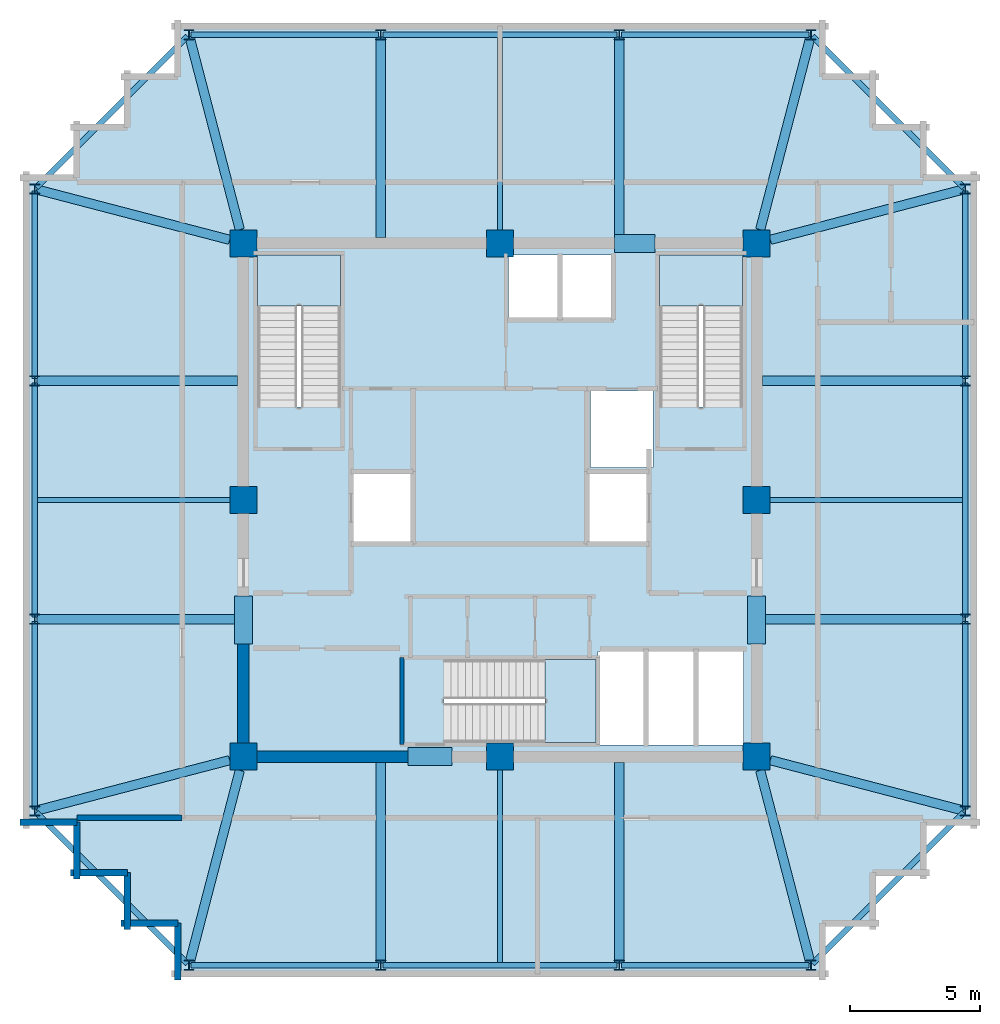
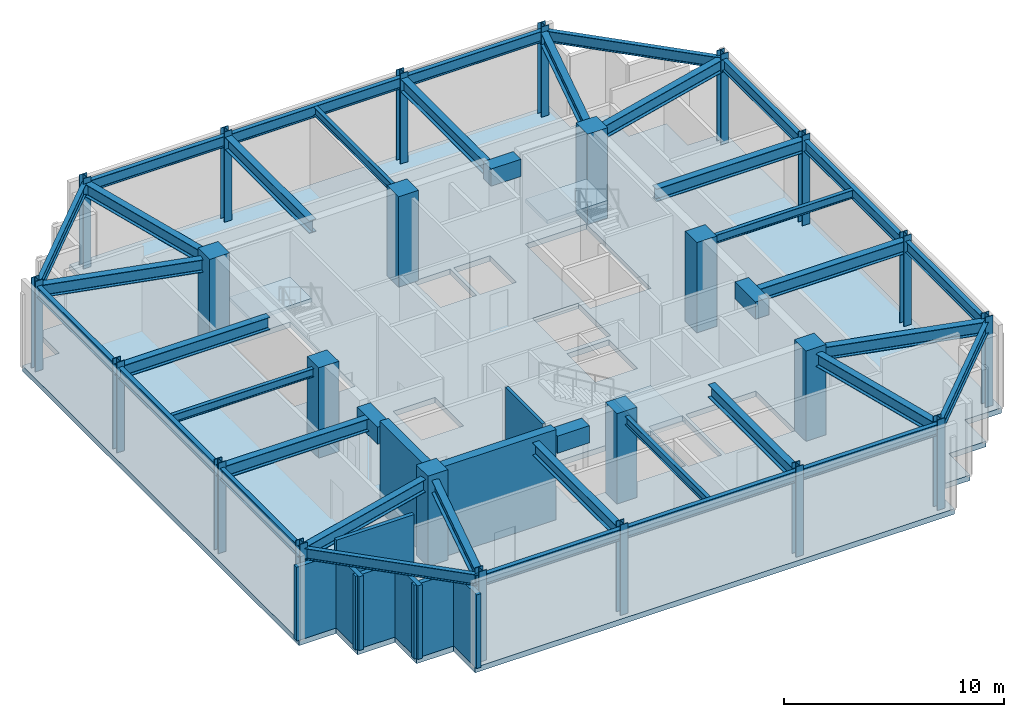
# One storey, part 1 of 5: 40 beams, 24 columns, 10 walls, 4 slabs, 3 elements without a shape of their own.
"""IFC4 building model written with IfcOpenShell, lengths in metres."""

from ifc_helpers import new_model, si_unit, direction, frame, frame_2d, origin, origin_2d, place, context, subcontext, project, spatial, polyline, rectangle, i_section, outline, extrude, material, layer, layer_set, material_profile, profile_set, type_object, element, aggregate, save


model = new_model("IFC4")

# Units and contexts
model_context = context("Model", 3, precision=1e-05, world=origin(), true_north=direction((0.0, 1.0)))
body_context = subcontext(model_context, "Body", "Model", "MODEL_VIEW")
ifc_project = project(units=[si_unit("LENGTHUNIT", "METRE"), si_unit("AREAUNIT", "SQUARE_METRE"), si_unit("VOLUMEUNIT", "CUBIC_METRE"), si_unit("PLANEANGLEUNIT", "RADIAN"), si_unit("MASSUNIT", "GRAM", prefix="KILO")], contexts=[model_context])

# Site, building, storey
site_placement = place(None, origin())
site = spatial("IfcSite", under=ifc_project, at=site_placement, CompositionType="ELEMENT")
building_placement = place(site_placement, origin())
building = spatial("IfcBuilding", under=site, at=building_placement, Name="Kolvaren Belvedere", CompositionType="ELEMENT")
storey_placement = place(building_placement, frame((0.0, 0.0, 272.39990234375)))
storey = spatial("IfcBuildingStorey", under=building, at=storey_placement, Name="L78", CompositionType="ELEMENT", Elevation=272.39990234375)

# Columns
ifc_material_1 = material(Name="Concrete C50/60", Category="concrete")
ifc_material_profile_1 = material_profile(ifc_material_1, rectangle(XDim=1.050048828125, YDim=1.050048828125, at=origin_2d()), Name="RC 1050X1050")
ifc_profile_set_1 = profile_set([ifc_material_profile_1], Name="Concrete C50/60")
column_type_1 = type_object("IfcColumnType", Name="COL-RC-1050", PredefinedType="COLUMN", material=ifc_profile_set_1)
for number, where, z_axis, x_axis, name in (
    (1, (-9.89990234375, -9.89990234375, 0.0), (0.0, 0.0, 1.0), (1.0, 0.0, 0.0), "L78 Core Column CC1"),
    (2, (9.89990234375, -9.89990234375, 0.0), (0.0, 0.0, 1.0), (1.0, 0.0, 0.0), "L78 Core Column CC2"),
    (3, (9.89990234375, 9.89990234375, 0.0), (0.0, 0.0, 1.0), (1.0, 0.0, 0.0), "L78 Core Column CC3"),
    (4, (-9.89990234375, 9.89990234375, 0.0), (0.0, 0.0, 1.0), (1.0, 0.0, 0.0), "L78 Core Column CC4"),
    (5, (0.0, -9.89990234375, 0.0), (0.0, 0.0, 1.0), (1.0, 0.0, 0.0), "L78 Core Column CM1"),
    (6, (9.89990234375, 0.0, 0.0), (0.0, 0.0, 1.0), (1.0, 0.0, 0.0), "L78 Core Column CM2"),
    (7, (0.0, 9.89990234375, 0.0), (0.0, 0.0, 1.0), (1.0, 0.0, 0.0), "L78 Core Column CM3"),
    (8, (-9.89990234375, 0.0, 0.0), (0.0, 0.0, 1.0), (1.0, 0.0, 0.0), "L78 Core Column CM4"),
):
    element("IfcColumn", number, at=place(storey_placement, frame(where, z_axis=z_axis, x_axis=x_axis)), inside=storey, type_object=column_type_1, Name=name, PredefinedType="COLUMN", context=body_context, shape_type="SweptSolid", body=[
        extrude(rectangle(XDim=1.050048828125, YDim=1.050048828125, at=origin_2d()), origin(), (0.0, 0.0, 1.0), 5.0),
    ])
ifc_material_2 = material(Name="Structural steel ASTM A992 Grade 50", Category="steel")
ifc_material_profile_2 = material_profile(ifc_material_2, i_section(OverallWidth=0.39892578125, OverallDepth=0.386962890625, WebThickness=0.02099609375, FlangeThickness=0.033203125, FilletRadius=0.02490234375, at=origin_2d()), Name="W14X176")
ifc_profile_set_2 = profile_set([ifc_material_profile_2], Name="Structural steel ASTM A992 Grade 50")
column_type_2 = type_object("IfcColumnType", Name="COL-ST-W14X176", PredefinedType="COLUMN", material=ifc_profile_set_2)
for number, where, z_axis, x_axis, name in (
    (9, (-12.0, -17.949951171875, 0.0), (0.0, 0.0, 1.0), (1.0, 0.0, 0.0), "L78 Perimeter Column S1"),
    (10, (-4.60009765625, -17.949951171875, 0.0), (0.0, 0.0, 1.0), (1.0, 0.0, 0.0), "L78 Perimeter Column S2"),
    (11, (4.60009765625, -17.949951171875, 0.0), (0.0, 0.0, 1.0), (1.0, 0.0, 0.0), "L78 Perimeter Column S3"),
    (12, (12.0, -17.949951171875, 0.0), (0.0, 0.0, 1.0), (1.0, 0.0, 0.0), "L78 Perimeter Column S4"),
    (13, (-12.0, 17.949951171875, 0.0), (0.0, 0.0, 1.0), (1.0, 0.0, 0.0), "L78 Perimeter Column N1"),
    (14, (-4.60009765625, 17.949951171875, 0.0), (0.0, 0.0, 1.0), (1.0, 0.0, 0.0), "L78 Perimeter Column N2"),
    (15, (4.60009765625, 17.949951171875, 0.0), (0.0, 0.0, 1.0), (1.0, 0.0, 0.0), "L78 Perimeter Column N3"),
    (16, (12.0, 17.949951171875, 0.0), (0.0, 0.0, 1.0), (1.0, 0.0, 0.0), "L78 Perimeter Column N4"),
    (17, (-17.949951171875, -12.0, 0.0), (0.0, 0.0, 1.0), (1.0, 0.0, 0.0), "L78 Perimeter Column W1"),
    (18, (-17.949951171875, -4.60009765625, 0.0), (0.0, 0.0, 1.0), (1.0, 0.0, 0.0), "L78 Perimeter Column W2"),
    (19, (-17.949951171875, 4.60009765625, 0.0), (0.0, 0.0, 1.0), (1.0, 0.0, 0.0), "L78 Perimeter Column W3"),
    (20, (-17.949951171875, 12.0, 0.0), (0.0, 0.0, 1.0), (1.0, 0.0, 0.0), "L78 Perimeter Column W4"),
    (21, (17.949951171875, -12.0, 0.0), (0.0, 0.0, 1.0), (1.0, 0.0, 0.0), "L78 Perimeter Column E1"),
    (22, (17.949951171875, -4.60009765625, 0.0), (0.0, 0.0, 1.0), (1.0, 0.0, 0.0), "L78 Perimeter Column E2"),
    (23, (17.949951171875, 4.60009765625, 0.0), (0.0, 0.0, 1.0), (1.0, 0.0, 0.0), "L78 Perimeter Column E3"),
    (24, (17.949951171875, 12.0, 0.0), (0.0, 0.0, 1.0), (1.0, 0.0, 0.0), "L78 Perimeter Column E4"),
):
    element("IfcColumn", number, at=place(storey_placement, frame(where, z_axis=z_axis, x_axis=x_axis)), inside=storey, type_object=column_type_2, Name=name, PredefinedType="COLUMN", context=body_context, shape_type="SweptSolid", body=[
        extrude(i_section(OverallWidth=0.39892578125, OverallDepth=0.386962890625, WebThickness=0.02099609375, FlangeThickness=0.033203125, FilletRadius=0.02490234375, at=origin_2d()), origin(), (0.0, 0.0, 1.0), 5.0),
    ])

# Beams
ifc_material_3 = material(Name="Structural steel ASTM A992 Grade 50", Category="steel")
ifc_material_profile_3 = material_profile(ifc_material_3, i_section(OverallWidth=0.35498046875, OverallDepth=0.696044921875, WebThickness=0.015380859375, FlangeThickness=0.02490234375, FilletRadius=0.02197265625, at=origin_2d()), Name="W27X146")
ifc_profile_set_3 = profile_set([ifc_material_profile_3], Name="Structural steel ASTM A992 Grade 50")
beam_type_1 = type_object("IfcBeamType", Name="BM-GIRD-W27X146", PredefinedType="BEAM", material=ifc_profile_set_3)
for number, where, z_axis, x_axis, name in (
    (25, (4.60009765625, 10.125, 4.35205078125), (0.0, 1.0, 0.0), (-1.0, 0.0, 0.0), "L78 North Radial Girder P"),
    (26, (4.60009765625, -10.125, 4.35205078125), (0.0, -1.0, 0.0), (1.0, 0.0, 0.0), "L78 South Radial Girder P"),
    (27, (10.125, 4.60009765625, 4.35205078125), (1.0, 0.0, 0.0), (0.0, 1.0, 0.0), "L78 East Radial Girder P"),
    (28, (-10.125, 4.60009765625, 4.35205078125), (-1.0, 0.0, 0.0), (0.0, -1.0, 0.0), "L78 West Radial Girder P"),
    (29, (-4.60009765625, 10.125, 4.35205078125), (0.0, 1.0, 0.0), (-1.0, 0.0, 0.0), "L78 North Radial Girder M"),
    (30, (-4.60009765625, -10.125, 4.35205078125), (0.0, -1.0, 0.0), (1.0, 0.0, 0.0), "L78 South Radial Girder M"),
    (31, (10.125, -4.60009765625, 4.35205078125), (1.0, 0.0, 0.0), (0.0, 1.0, 0.0), "L78 East Radial Girder M"),
    (32, (-10.125, -4.60009765625, 4.35205078125), (-1.0, 0.0, 0.0), (0.0, -1.0, 0.0), "L78 West Radial Girder M"),
):
    element("IfcBeam", number, at=place(storey_placement, frame(where, z_axis=z_axis, x_axis=x_axis)), inside=storey, type_object=beam_type_1, Name=name, PredefinedType="BEAM", context=body_context, shape_type="SweptSolid", body=[
        extrude(i_section(OverallWidth=0.35498046875, OverallDepth=0.696044921875, WebThickness=0.015380859375, FlangeThickness=0.02490234375, FilletRadius=0.02197265625, at=origin_2d()), origin(), (0.0, 0.0, 1.0), 7.73779296875),
    ])
for number, where, z_axis, x_axis, name in (
    (33, (-10.038818359375, -10.43212890625, 4.35205078125), (-0.25242577332, -0.967616261213, 0.0), (0.967616261213, -0.25242577332, 0.0), "L78 Corner Core-to-Perimeter Girder CC1-S1"),
    (34, (-10.43212890625, -10.038818359375, 4.35205078125), (-0.967616261213, -0.25242577332, 0.0), (0.25242577332, -0.967616261213, 0.0), "L78 Corner Core-to-Perimeter Girder CC1-W1"),
    (35, (10.038818359375, -10.43212890625, 4.35205078125), (0.25242577332, -0.967616261213, 0.0), (0.967616261213, 0.25242577332, 0.0), "L78 Corner Core-to-Perimeter Girder CC2-S4"),
    (36, (10.43212890625, -10.038818359375, 4.35205078125), (0.967616261213, -0.25242577332, 0.0), (0.25242577332, 0.967616261213, 0.0), "L78 Corner Core-to-Perimeter Girder CC2-E1"),
    (37, (10.038818359375, 10.43212890625, 4.35205078125), (0.25242577332, 0.967616261213, 0.0), (-0.967616261213, 0.25242577332, 0.0), "L78 Corner Core-to-Perimeter Girder CC3-N4"),
    (38, (10.43212890625, 10.038818359375, 4.35205078125), (0.967616261213, 0.25242577332, 0.0), (-0.25242577332, 0.967616261213, 0.0), "L78 Corner Core-to-Perimeter Girder CC3-E4"),
    (39, (-10.038818359375, 10.43212890625, 4.35205078125), (-0.25242577332, 0.967616261213, 0.0), (-0.967616261213, -0.25242577332, 0.0), "L78 Corner Core-to-Perimeter Girder CC4-N1"),
    (40, (-10.43212890625, 10.038818359375, 4.35205078125), (-0.967616261213, 0.25242577332, 0.0), (-0.25242577332, -0.967616261213, 0.0), "L78 Corner Core-to-Perimeter Girder CC4-W4"),
):
    element("IfcBeam", number, at=place(storey_placement, frame(where, z_axis=z_axis, x_axis=x_axis)), inside=storey, type_object=beam_type_1, Name=name, PredefinedType="BEAM", context=body_context, shape_type="SweptSolid", body=[
        extrude(i_section(OverallWidth=0.35498046875, OverallDepth=0.696044921875, WebThickness=0.015380859375, FlangeThickness=0.02490234375, FilletRadius=0.02197265625, at=origin_2d()), origin(), (0.0, 0.0, 1.0), 7.69189453125),
    ])
ifc_material_4 = material(Name="Structural steel ASTM A992 Grade 50", Category="steel")
ifc_material_profile_4 = material_profile(ifc_material_4, i_section(OverallWidth=0.19091796875, OverallDepth=0.4599609375, WebThickness=0.010009765625, FlangeThickness=0.01611328125, FilletRadius=0.014892578125, at=origin_2d()), Name="W18X55")
ifc_profile_set_4 = profile_set([ifc_material_profile_4], Name="Structural steel ASTM A992 Grade 50")
beam_type_2 = type_object("IfcBeamType", Name="BM-JOIST-W18X55", PredefinedType="BEAM", material=ifc_profile_set_4)
for number, where, z_axis, x_axis, name in (
    (41, (0.0, 10.125, 4.47021484375), (0.0, 1.0, 0.0), (-1.0, 0.0, 0.0), "L78 North Centre Floor Beam"),
    (42, (0.0, -10.125, 4.47021484375), (0.0, -1.0, 0.0), (1.0, 0.0, 0.0), "L78 South Centre Floor Beam"),
    (43, (10.125, 0.0, 4.47021484375), (1.0, 0.0, 0.0), (0.0, 1.0, 0.0), "L78 East Centre Floor Beam"),
    (44, (-10.125, 0.0, 4.47021484375), (-1.0, 0.0, 0.0), (0.0, -1.0, 0.0), "L78 West Centre Floor Beam"),
):
    element("IfcBeam", number, at=place(storey_placement, frame(where, z_axis=z_axis, x_axis=x_axis)), inside=storey, type_object=beam_type_2, Name=name, PredefinedType="BEAM", context=body_context, shape_type="SweptSolid", body=[
        extrude(i_section(OverallWidth=0.19091796875, OverallDepth=0.4599609375, WebThickness=0.010009765625, FlangeThickness=0.01611328125, FilletRadius=0.014892578125, at=origin_2d()), origin(), (0.0, 0.0, 1.0), 7.71044921875),
    ])
ifc_material_5 = material(Name="Concrete C60/75", Category="concrete")
ifc_material_profile_5 = material_profile(ifc_material_5, rectangle(XDim=0.699951171875, YDim=0.949951171875, at=origin_2d()), Name="RC 700X950")
ifc_profile_set_5 = profile_set([ifc_material_profile_5], Name="Concrete C60/75")
beam_type_3 = type_object("IfcBeamType", Name="BM-LINT-950", PredefinedType="LINTEL", material=ifc_profile_set_5)
beam_1_placement = place(storey_placement, frame((-3.5400390625, -9.89990234375, 4.22509765625), z_axis=(1.0, 0.0, 0.0), x_axis=(0.0, 1.0, 0.0)))
element("IfcBeam", 45, at=beam_1_placement, inside=storey, type_object=beam_type_3, Name="L78 South Core Coupling Lintel", PredefinedType="LINTEL", context=body_context, shape_type="SweptSolid", body=[
    extrude(rectangle(XDim=0.699951171875, YDim=0.949951171875, at=origin_2d()), origin(), (0.0, 0.0, 1.0), 1.679931640625),
])
beam_2_placement = place(storey_placement, frame((4.419921875, 9.89990234375, 4.22509765625), z_axis=(1.0, 0.0, 0.0), x_axis=(0.0, 1.0, 0.0)))
element("IfcBeam", 46, at=beam_2_placement, inside=storey, type_object=beam_type_3, Name="L78 North Core Coupling Lintel", PredefinedType="LINTEL", context=body_context, shape_type="SweptSolid", body=[
    extrude(rectangle(XDim=0.699951171875, YDim=0.949951171875, at=origin_2d()), origin(), (0.0, 0.0, 1.0), 1.56005859375),
])
for number, where, z_axis, x_axis, name in (
    (47, (-9.89990234375, -5.550048828125, 4.22509765625), (0.0, 1.0, 0.0), (-1.0, 0.0, 0.0), "L78 West Core Coupling Lintel"),
    (48, (9.89990234375, -5.550048828125, 4.22509765625), (0.0, 1.0, 0.0), (-1.0, 0.0, 0.0), "L78 East Core Coupling Lintel"),
):
    element("IfcBeam", number, at=place(storey_placement, frame(where, z_axis=z_axis, x_axis=x_axis)), inside=storey, type_object=beam_type_3, Name=name, PredefinedType="LINTEL", context=body_context, shape_type="SweptSolid", body=[
        extrude(rectangle(XDim=0.699951171875, YDim=0.949951171875, at=origin_2d()), origin(), (0.0, 0.0, 1.0), 1.85009765625),
    ])
ifc_material_6 = material(Name="Structural steel ASTM A992 Grade 50", Category="steel")
ifc_material_profile_6 = material_profile(ifc_material_6, i_section(OverallWidth=0.22900390625, OverallDepth=0.612060546875, WebThickness=0.011962890625, FlangeThickness=0.01953125, FilletRadius=0.01806640625, at=origin_2d()), Name="W24X84")
ifc_profile_set_6 = profile_set([ifc_material_profile_6], Name="Structural steel ASTM A992 Grade 50")
beam_type_4 = type_object("IfcBeamType", Name="BM-SPAN-W24X84", PredefinedType="SPANDREL", material=ifc_profile_set_6)
beam_3_placement = place(storey_placement, frame((-11.912841796875, -17.949951171875, 4.39404296875), z_axis=(1.0, 0.0, 0.0), x_axis=(0.0, 1.0, 0.0)))
element("IfcBeam", 49, at=beam_3_placement, inside=storey, type_object=beam_type_4, Name="L78 Perimeter Spandrel S1-S2", PredefinedType="SPANDREL", context=body_context, shape_type="SweptSolid", body=[
    extrude(i_section(OverallWidth=0.22900390625, OverallDepth=0.612060546875, WebThickness=0.011962890625, FlangeThickness=0.01953125, FilletRadius=0.01806640625, at=origin_2d()), origin(), (0.0, 0.0, 1.0), 7.225830078125),
])
beam_4_placement = place(storey_placement, frame((-4.512939453125, -17.949951171875, 4.39404296875), z_axis=(1.0, 0.0, 0.0), x_axis=(0.0, 1.0, 0.0)))
element("IfcBeam", 50, at=beam_4_placement, inside=storey, type_object=beam_type_4, Name="L78 Perimeter Spandrel S2-S3", PredefinedType="SPANDREL", context=body_context, shape_type="SweptSolid", body=[
    extrude(i_section(OverallWidth=0.22900390625, OverallDepth=0.612060546875, WebThickness=0.011962890625, FlangeThickness=0.01953125, FilletRadius=0.01806640625, at=origin_2d()), origin(), (0.0, 0.0, 1.0), 9.02587890625),
])
beam_5_placement = place(storey_placement, frame((4.68701171875, -17.949951171875, 4.39404296875), z_axis=(1.0, 0.0, 0.0), x_axis=(0.0, 1.0, 0.0)))
element("IfcBeam", 51, at=beam_5_placement, inside=storey, type_object=beam_type_4, Name="L78 Perimeter Spandrel S3-S4", PredefinedType="SPANDREL", context=body_context, shape_type="SweptSolid", body=[
    extrude(i_section(OverallWidth=0.22900390625, OverallDepth=0.612060546875, WebThickness=0.011962890625, FlangeThickness=0.01953125, FilletRadius=0.01806640625, at=origin_2d()), origin(), (0.0, 0.0, 1.0), 7.225830078125),
])
beam_6_placement = place(storey_placement, frame((12.0615234375, -17.888427734375, 4.39404296875), z_axis=(0.707106781187, 0.707106781187, 0.0), x_axis=(-0.707106781187, 0.707106781187, 0.0)))
element("IfcBeam", 52, at=beam_6_placement, inside=storey, type_object=beam_type_4, Name="L78 Perimeter Spandrel S4-E1", PredefinedType="SPANDREL", context=body_context, shape_type="SweptSolid", body=[
    extrude(i_section(OverallWidth=0.22900390625, OverallDepth=0.612060546875, WebThickness=0.011962890625, FlangeThickness=0.01953125, FilletRadius=0.01806640625, at=origin_2d()), origin(), (0.0, 0.0, 1.0), 8.240478515625),
])
beam_7_placement = place(storey_placement, frame((17.949951171875, -11.912841796875, 4.39404296875), z_axis=(0.0, 1.0, 0.0), x_axis=(-1.0, 0.0, 0.0)))
element("IfcBeam", 53, at=beam_7_placement, inside=storey, type_object=beam_type_4, Name="L78 Perimeter Spandrel E1-E2", PredefinedType="SPANDREL", context=body_context, shape_type="SweptSolid", body=[
    extrude(i_section(OverallWidth=0.22900390625, OverallDepth=0.612060546875, WebThickness=0.011962890625, FlangeThickness=0.01953125, FilletRadius=0.01806640625, at=origin_2d()), origin(), (0.0, 0.0, 1.0), 7.225830078125),
])
beam_8_placement = place(storey_placement, frame((17.949951171875, -4.512939453125, 4.39404296875), z_axis=(0.0, 1.0, 0.0), x_axis=(-1.0, 0.0, 0.0)))
element("IfcBeam", 54, at=beam_8_placement, inside=storey, type_object=beam_type_4, Name="L78 Perimeter Spandrel E2-E3", PredefinedType="SPANDREL", context=body_context, shape_type="SweptSolid", body=[
    extrude(i_section(OverallWidth=0.22900390625, OverallDepth=0.612060546875, WebThickness=0.011962890625, FlangeThickness=0.01953125, FilletRadius=0.01806640625, at=origin_2d()), origin(), (0.0, 0.0, 1.0), 9.02587890625),
])
beam_9_placement = place(storey_placement, frame((17.949951171875, 4.68701171875, 4.39404296875), z_axis=(0.0, 1.0, 0.0), x_axis=(-1.0, 0.0, 0.0)))
element("IfcBeam", 55, at=beam_9_placement, inside=storey, type_object=beam_type_4, Name="L78 Perimeter Spandrel E3-E4", PredefinedType="SPANDREL", context=body_context, shape_type="SweptSolid", body=[
    extrude(i_section(OverallWidth=0.22900390625, OverallDepth=0.612060546875, WebThickness=0.011962890625, FlangeThickness=0.01953125, FilletRadius=0.01806640625, at=origin_2d()), origin(), (0.0, 0.0, 1.0), 7.225830078125),
])
beam_10_placement = place(storey_placement, frame((17.888427734375, 12.0615234375, 4.39404296875), z_axis=(-0.707106781187, 0.707106781187, 0.0), x_axis=(-0.707106781187, -0.707106781187, 0.0)))
element("IfcBeam", 56, at=beam_10_placement, inside=storey, type_object=beam_type_4, Name="L78 Perimeter Spandrel E4-N4", PredefinedType="SPANDREL", context=body_context, shape_type="SweptSolid", body=[
    extrude(i_section(OverallWidth=0.22900390625, OverallDepth=0.612060546875, WebThickness=0.011962890625, FlangeThickness=0.01953125, FilletRadius=0.01806640625, at=origin_2d()), origin(), (0.0, 0.0, 1.0), 8.240478515625),
])
beam_11_placement = place(storey_placement, frame((11.912841796875, 17.949951171875, 4.39404296875), z_axis=(-1.0, 0.0, 0.0), x_axis=(0.0, -1.0, 0.0)))
element("IfcBeam", 57, at=beam_11_placement, inside=storey, type_object=beam_type_4, Name="L78 Perimeter Spandrel N4-N3", PredefinedType="SPANDREL", context=body_context, shape_type="SweptSolid", body=[
    extrude(i_section(OverallWidth=0.22900390625, OverallDepth=0.612060546875, WebThickness=0.011962890625, FlangeThickness=0.01953125, FilletRadius=0.01806640625, at=origin_2d()), origin(), (0.0, 0.0, 1.0), 7.225830078125),
])
beam_12_placement = place(storey_placement, frame((4.512939453125, 17.949951171875, 4.39404296875), z_axis=(-1.0, 0.0, 0.0), x_axis=(0.0, -1.0, 0.0)))
element("IfcBeam", 58, at=beam_12_placement, inside=storey, type_object=beam_type_4, Name="L78 Perimeter Spandrel N3-N2", PredefinedType="SPANDREL", context=body_context, shape_type="SweptSolid", body=[
    extrude(i_section(OverallWidth=0.22900390625, OverallDepth=0.612060546875, WebThickness=0.011962890625, FlangeThickness=0.01953125, FilletRadius=0.01806640625, at=origin_2d()), origin(), (0.0, 0.0, 1.0), 9.02587890625),
])
beam_13_placement = place(storey_placement, frame((-4.68701171875, 17.949951171875, 4.39404296875), z_axis=(-1.0, 0.0, 0.0), x_axis=(0.0, -1.0, 0.0)))
element("IfcBeam", 59, at=beam_13_placement, inside=storey, type_object=beam_type_4, Name="L78 Perimeter Spandrel N2-N1", PredefinedType="SPANDREL", context=body_context, shape_type="SweptSolid", body=[
    extrude(i_section(OverallWidth=0.22900390625, OverallDepth=0.612060546875, WebThickness=0.011962890625, FlangeThickness=0.01953125, FilletRadius=0.01806640625, at=origin_2d()), origin(), (0.0, 0.0, 1.0), 7.225830078125),
])
beam_14_placement = place(storey_placement, frame((-12.0615234375, 17.888427734375, 4.39404296875), z_axis=(-0.707106781187, -0.707106781187, 0.0), x_axis=(0.707106781187, -0.707106781187, 0.0)))
element("IfcBeam", 60, at=beam_14_placement, inside=storey, type_object=beam_type_4, Name="L78 Perimeter Spandrel N1-W4", PredefinedType="SPANDREL", context=body_context, shape_type="SweptSolid", body=[
    extrude(i_section(OverallWidth=0.22900390625, OverallDepth=0.612060546875, WebThickness=0.011962890625, FlangeThickness=0.01953125, FilletRadius=0.01806640625, at=origin_2d()), origin(), (0.0, 0.0, 1.0), 8.240478515625),
])
beam_15_placement = place(storey_placement, frame((-17.949951171875, 11.912841796875, 4.39404296875), z_axis=(0.0, -1.0, 0.0), x_axis=(1.0, 0.0, 0.0)))
element("IfcBeam", 61, at=beam_15_placement, inside=storey, type_object=beam_type_4, Name="L78 Perimeter Spandrel W4-W3", PredefinedType="SPANDREL", context=body_context, shape_type="SweptSolid", body=[
    extrude(i_section(OverallWidth=0.22900390625, OverallDepth=0.612060546875, WebThickness=0.011962890625, FlangeThickness=0.01953125, FilletRadius=0.01806640625, at=origin_2d()), origin(), (0.0, 0.0, 1.0), 7.225830078125),
])
beam_16_placement = place(storey_placement, frame((-17.949951171875, 4.512939453125, 4.39404296875), z_axis=(0.0, -1.0, 0.0), x_axis=(1.0, 0.0, 0.0)))
element("IfcBeam", 62, at=beam_16_placement, inside=storey, type_object=beam_type_4, Name="L78 Perimeter Spandrel W3-W2", PredefinedType="SPANDREL", context=body_context, shape_type="SweptSolid", body=[
    extrude(i_section(OverallWidth=0.22900390625, OverallDepth=0.612060546875, WebThickness=0.011962890625, FlangeThickness=0.01953125, FilletRadius=0.01806640625, at=origin_2d()), origin(), (0.0, 0.0, 1.0), 9.02587890625),
])
beam_17_placement = place(storey_placement, frame((-17.949951171875, -4.68701171875, 4.39404296875), z_axis=(0.0, -1.0, 0.0), x_axis=(1.0, 0.0, 0.0)))
element("IfcBeam", 63, at=beam_17_placement, inside=storey, type_object=beam_type_4, Name="L78 Perimeter Spandrel W2-W1", PredefinedType="SPANDREL", context=body_context, shape_type="SweptSolid", body=[
    extrude(i_section(OverallWidth=0.22900390625, OverallDepth=0.612060546875, WebThickness=0.011962890625, FlangeThickness=0.01953125, FilletRadius=0.01806640625, at=origin_2d()), origin(), (0.0, 0.0, 1.0), 7.225830078125),
])
beam_18_placement = place(storey_placement, frame((-17.888427734375, -12.0615234375, 4.39404296875), z_axis=(0.707106781187, -0.707106781187, 0.0), x_axis=(0.707106781187, 0.707106781187, 0.0)))
element("IfcBeam", 64, at=beam_18_placement, inside=storey, type_object=beam_type_4, Name="L78 Perimeter Spandrel W1-S1", PredefinedType="SPANDREL", context=body_context, shape_type="SweptSolid", body=[
    extrude(i_section(OverallWidth=0.22900390625, OverallDepth=0.612060546875, WebThickness=0.011962890625, FlangeThickness=0.01953125, FilletRadius=0.01806640625, at=origin_2d()), origin(), (0.0, 0.0, 1.0), 8.240478515625),
])

# Slab
ifc_material_7 = material(Name="Concrete C50/60", Category="concrete")
ifc_layer_1 = layer(ifc_material_7, 0.300048828125)
ifc_layer_set_1 = layer_set([ifc_layer_1], Name="Concrete C50/60")
slab_type_1 = type_object("IfcSlabType", Name="SL-FLR-300", PredefinedType="FLOOR", material=ifc_layer_set_1)
slab_1_placement = place(storey_placement, frame((0.0, 0.0, -0.2998046875)))
element("IfcSlab", 65, at=slab_1_placement, inside=storey, type_object=slab_type_1, Name="L78 Primary Structural Slab", PredefinedType="FLOOR", context=body_context, shape_type="SweptSolid", body=[
    extrude(outline(polyline([(-12.550048828125, -18.39990234375), (12.550048828125, -18.39990234375), (12.550048828125, -16.449951171875), (14.5, -16.449951171875), (14.5, -14.5), (16.449951171875, -14.5), (16.449951171875, -12.550048828125), (18.39990234375, -12.550048828125), (18.39990234375, 12.550048828125), (16.449951171875, 12.550048828125), (16.449951171875, 14.5), (14.5, 14.5), (14.5, 16.449951171875), (12.550048828125, 16.449951171875), (12.550048828125, 18.39990234375), (-12.550048828125, 18.39990234375), (-12.550048828125, 16.449951171875), (-14.5, 16.449951171875), (-14.5, 14.5), (-16.449951171875, 14.5), (-16.449951171875, 12.550048828125), (-18.39990234375, 12.550048828125), (-18.39990234375, -12.550048828125), (-16.449951171875, -12.550048828125), (-16.449951171875, -14.5), (-14.5, -14.5), (-14.5, -16.449951171875), (-12.550048828125, -16.449951171875), (-12.550048828125, -18.39990234375)]), holes=[polyline([(-9.35009765625, 3.580078125), (-6.159912109375, 3.580078125), (-6.159912109375, 9.449951171875), (-9.35009765625, 9.449951171875), (-9.35009765625, 3.580078125)]), polyline([(6.159912109375, 3.580078125), (9.35009765625, 3.580078125), (9.35009765625, 9.449951171875), (6.159912109375, 9.449951171875), (6.159912109375, 3.580078125)]), polyline([(-2.169921875, -9.35009765625), (3.699951171875, -9.35009765625), (3.699951171875, -6.159912109375), (-2.169921875, -6.159912109375), (-2.169921875, -9.35009765625)]), polyline([(-5.64990234375, -1.60009765625), (-3.449951171875, -1.60009765625), (-3.449951171875, 1.0), (-5.64990234375, 1.0), (-5.64990234375, -1.60009765625)]), polyline([(3.5, 1.25), (5.89990234375, 1.25), (5.89990234375, 4.199951171875), (3.5, 4.199951171875), (3.5, 1.25)]), polyline([(3.449951171875, -1.60009765625), (5.64990234375, -1.60009765625), (5.64990234375, 1.0), (3.449951171875, 1.0), (3.449951171875, -1.60009765625)]), polyline([(3.7900390625, -9.449951171875), (5.5400390625, -9.449951171875), (5.5400390625, -5.85009765625), (3.7900390625, -5.85009765625), (3.7900390625, -9.449951171875)]), polyline([(5.719970703125, -9.449951171875), (7.469970703125, -9.449951171875), (7.469970703125, -5.85009765625), (5.719970703125, -5.85009765625), (5.719970703125, -9.449951171875)]), polyline([(7.64990234375, -9.449951171875), (9.39990234375, -9.449951171875), (9.39990234375, -5.85009765625), (7.64990234375, -5.85009765625), (7.64990234375, -9.449951171875)]), polyline([(0.320068359375, 7.050048828125), (2.219970703125, 7.050048828125), (2.219970703125, 9.449951171875), (0.320068359375, 9.449951171875), (0.320068359375, 7.050048828125)]), polyline([(2.39990234375, 7.050048828125), (4.300048828125, 7.050048828125), (4.300048828125, 9.449951171875), (2.39990234375, 9.449951171875), (2.39990234375, 7.050048828125)])]), origin(), (0.0, 0.0, 1.0), 0.2998046875),
])

# Stair, slab
ifc_material_8 = material(Name="Concrete C50/60", Category="concrete")
stair_type = type_object("IfcStairType", Name="ST-CORE-1520", PredefinedType="HALF_TURN_STAIR", material=ifc_material_8)
stair_1_placement = place(storey_placement, origin())
stair_1 = element("IfcStair", 66, at=stair_1_placement, inside=storey, type_object=stair_type, Name="L78 Protected Exit Stair ST-1", PredefinedType="HALF_TURN_STAIR")
ifc_material_9 = material(Name="Concrete C50/60", Category="concrete")
ifc_layer_2 = layer(ifc_material_9, 0.260009765625)
ifc_layer_set_2 = layer_set([ifc_layer_2], Name="Concrete C50/60")
slab_type_2 = type_object("IfcSlabType", Name="SL-LAND-260", PredefinedType="LANDING", material=ifc_layer_set_2)
slab_2_placement = place(storey_placement, frame((0.0, 0.0, 2.300048828125)))
slab_2 = element("IfcSlab", 67, at=slab_2_placement, type_object=slab_type_2, Name="ST-1 landing 1", PredefinedType="LANDING", context=body_context, shape_type="SweptSolid", body=[
    extrude(outline(polyline([(-6.159912109375, 7.489990234375), (-6.159912109375, 9.449951171875), (-9.35009765625, 9.449951171875), (-9.35009765625, 7.489990234375), (-6.159912109375, 7.489990234375)])), origin(), (0.0, 0.0, 1.0), 0.199951171875),
])
aggregate(stair_1, [slab_2])

stair_2_placement = place(storey_placement, origin())
stair_2 = element("IfcStair", 68, at=stair_2_placement, inside=storey, type_object=stair_type, Name="L78 Protected Exit Stair ST-2", PredefinedType="HALF_TURN_STAIR")
slab_3_placement = place(storey_placement, frame((0.0, 0.0, 2.300048828125)))
slab_3 = element("IfcSlab", 69, at=slab_3_placement, type_object=slab_type_2, Name="ST-2 landing 1", PredefinedType="LANDING", context=body_context, shape_type="SweptSolid", body=[
    extrude(outline(polyline([(9.35009765625, 7.489990234375), (9.35009765625, 9.449951171875), (6.159912109375, 9.449951171875), (6.159912109375, 7.489990234375), (9.35009765625, 7.489990234375)])), origin(), (0.0, 0.0, 1.0), 0.199951171875),
])
aggregate(stair_2, [slab_3])

stair_3_placement = place(storey_placement, origin())
stair_3 = element("IfcStair", 70, at=stair_3_placement, inside=storey, type_object=stair_type, Name="L78 Protected Exit Stair ST-3", PredefinedType="HALF_TURN_STAIR")
slab_4_placement = place(storey_placement, frame((0.0, 0.0, 2.300048828125)))
slab_4 = element("IfcSlab", 71, at=slab_4_placement, type_object=slab_type_2, Name="ST-3 landing 1", PredefinedType="LANDING", context=body_context, shape_type="SweptSolid", body=[
    extrude(outline(polyline([(1.739990234375, -9.35009765625), (3.699951171875, -9.35009765625), (3.699951171875, -6.159912109375), (1.739990234375, -6.159912109375), (1.739990234375, -9.35009765625)])), origin(), (0.0, 0.0, 1.0), 0.199951171875),
])
aggregate(stair_3, [slab_4])

# Walls
ifc_material_10 = material(Name="Concrete C50/60", Category="concrete")
ifc_layer_3 = layer(ifc_material_10, 0.449951171875)
ifc_layer_set_3 = layer_set([ifc_layer_3], Name="Concrete C50/60")
wall_type_1 = type_object("IfcWallType", Name="CW-CORE-450", PredefinedType="SHEAR", material=ifc_layer_set_3)
wall_1_placement = place(storey_placement, frame((-3.5400390625, -9.89990234375, 0.0), z_axis=(0.0, 0.0, 1.0), x_axis=(-1.0, 0.0, 0.0)))
element("IfcWall", 72, at=wall_1_placement, inside=storey, type_object=wall_type_1, Name="L78 South Core Shear Wall 2", PredefinedType="SHEAR", context=body_context, shape_type="SweptSolid", body=[
    extrude(rectangle(XDim=6.5849609375, YDim=0.449951171875, at=frame_2d((3.29248046875, 0.0))), origin(), (0.0, 0.0, 1.0), 5.0),
])
wall_2_placement = place(storey_placement, frame((-9.89990234375, -9.675048828125, 0.0), z_axis=(0.0, 0.0, 1.0), x_axis=(0.0, 1.0, 0.0)))
element("IfcWall", 73, at=wall_2_placement, inside=storey, type_object=wall_type_1, Name="L78 West Core Shear Wall 1", PredefinedType="SHEAR", context=body_context, shape_type="SweptSolid", body=[
    extrude(rectangle(XDim=4.125, YDim=0.449951171875, at=frame_2d((2.0625, 0.0))), origin(), (0.0, 0.0, 1.0), 5.0),
])
ifc_material_11 = material(Name="Concrete C50/60", Category="concrete")
ifc_layer_4 = layer(ifc_material_11, 0.159912109375)
ifc_layer_set_4 = layer_set([ifc_layer_4], Name="Concrete C50/60")
wall_type_2 = type_object("IfcWallType", Name="CW-STAIR-160", PredefinedType="SHEAR", material=ifc_layer_set_4)
wall_3_placement = place(storey_placement, frame((-3.780029296875, -9.429931640625, 0.0), z_axis=(0.0, 0.0, 1.0), x_axis=(0.0, 1.0, 0.0)))
element("IfcWall", 74, at=wall_3_placement, inside=storey, type_object=wall_type_2, Name="L78 Stair ST-3 West Shear Wall", PredefinedType="SHEAR", context=body_context, shape_type="SweptSolid", body=[
    extrude(rectangle(XDim=3.349853515625, YDim=0.159912109375, at=frame_2d((1.6748046875, 0.0))), origin(), (0.0, 0.0, 1.0), 5.0),
])
ifc_material_12 = material(Name="Insulated acoustic pale-metal louvre wall", Category="aluminium")
ifc_layer_5 = layer(ifc_material_12, 0.239990234375)
ifc_layer_set_5 = layer_set([ifc_layer_5], Name="Insulated acoustic pale-metal louvre wall")
wall_type_3 = type_object("IfcWallType", Name="WL-LOUV-240", PredefinedType="STANDARD", material=ifc_layer_set_5)
wall_4_placement = place(storey_placement, frame((-16.330078125, -12.429931640625, 0.0), z_axis=(0.0, 0.0, 1.0), x_axis=(-1.0, 0.0, 0.0)))
element("IfcWall", 75, at=wall_4_placement, inside=storey, type_object=wall_type_3, Name="L78 Acoustic Louvre Facade Wall 23", PredefinedType="STANDARD", context=body_context, shape_type="SweptSolid", body=[
    extrude(rectangle(XDim=2.18994140625, YDim=0.239990234375, at=frame_2d((1.094970703125, 0.0))), origin(), (0.0, 0.0, 1.0), 4.0830078125),
])
for number, where, z_axis, x_axis, name in (
    (76, (-16.330078125, -14.6201171875, 0.0), (0.0, 0.0, 1.0), (0.0, 1.0, 0.0), "L78 Acoustic Louvre Facade Wall 24"),
    (77, (-14.3798828125, -14.3798828125, 0.0), (0.0, 0.0, 1.0), (-1.0, 0.0, 0.0), "L78 Acoustic Louvre Facade Wall 25"),
    (78, (-14.3798828125, -16.570068359375, 0.0), (0.0, 0.0, 1.0), (0.0, 1.0, 0.0), "L78 Acoustic Louvre Facade Wall 26"),
    (79, (-12.429931640625, -16.330078125, 0.0), (0.0, 0.0, 1.0), (-1.0, 0.0, 0.0), "L78 Acoustic Louvre Facade Wall 27"),
):
    element("IfcWall", number, at=place(storey_placement, frame(where, z_axis=z_axis, x_axis=x_axis)), inside=storey, type_object=wall_type_3, Name=name, PredefinedType="STANDARD", context=body_context, shape_type="SweptSolid", body=[
        extrude(rectangle(XDim=2.190185546875, YDim=0.239990234375, at=frame_2d((1.09521484375, 0.0))), origin(), (0.0, 0.0, 1.0), 4.0830078125),
    ])
wall_5_placement = place(storey_placement, frame((-12.429931640625, -18.52001953125, 0.0), z_axis=(0.0, 0.0, 1.0), x_axis=(0.0, 1.0, 0.0)))
element("IfcWall", 80, at=wall_5_placement, inside=storey, type_object=wall_type_3, Name="L78 Acoustic Louvre Facade Wall 28", PredefinedType="STANDARD", context=body_context, shape_type="SweptSolid", body=[
    extrude(rectangle(XDim=2.18994140625, YDim=0.239990234375, at=frame_2d((1.094970703125, 0.0))), origin(), (0.0, 0.0, 1.0), 4.0830078125),
])
ifc_material_13 = material(Name="Concrete C50/60", Category="concrete")
ifc_layer_6 = layer(ifc_material_13, 0.199951171875)
ifc_layer_set_6 = layer_set([ifc_layer_6], Name="Concrete C50/60")
wall_type_4 = type_object("IfcWallType", Name="WL-SHAFT-200", PredefinedType="SOLIDWALL", material=ifc_layer_set_6)
wall_6_placement = place(storey_placement, frame((-16.320068359375, -12.260009765625, 0.0), z_axis=(0.0, 0.0, 1.0), x_axis=(1.0, 0.0, 0.0)))
element("IfcWall", 81, at=wall_6_placement, inside=storey, type_object=wall_type_4, Name="L78 Sector Wall PW-L78-QSW", PredefinedType="SOLIDWALL", context=body_context, shape_type="SweptSolid", body=[
    extrude(rectangle(XDim=4.06005859375, YDim=0.199951171875, at=frame_2d((2.030029296875, 0.0))), origin(), (0.0, 0.0, 1.0), 4.7001953125),
])

save(model, "model.ifc")
